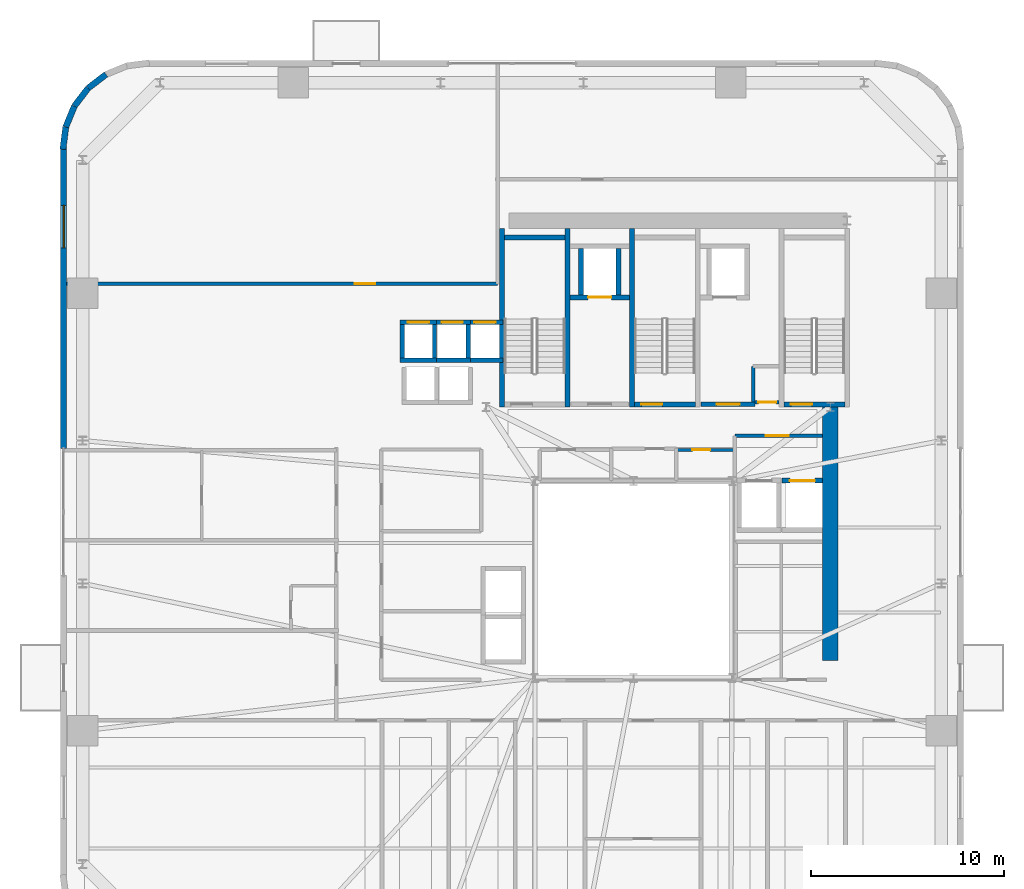
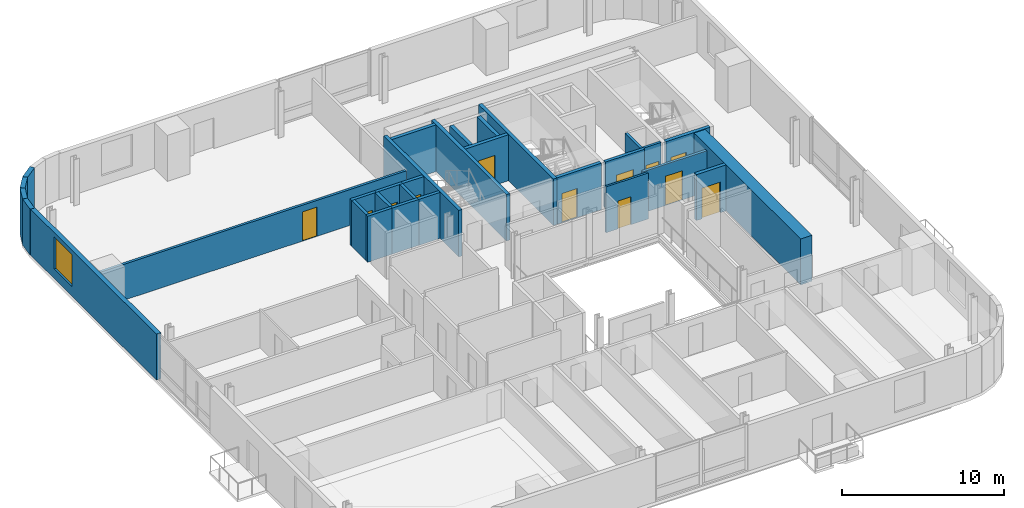
# One storey, part 8 of 11: 31 walls, 12 doors, 1 window, 13 openings.
"""IFC4 building model written with IfcOpenShell, lengths in metres."""

from ifc_helpers import new_model, si_unit, direction, frame, frame_2d, origin, place, context, subcontext, project, spatial, rectangle, extrude, source, transform, mapped, material, layer, layer_set, type_object, element, fill, save


model = new_model("IFC4")

# Units and contexts
model_context = context("Model", 3, precision=1e-05, world=origin(), true_north=direction((0.0, 1.0)))
body_context = subcontext(model_context, "Body", "Model", "MODEL_VIEW")
ifc_project = project(units=[si_unit("LENGTHUNIT", "METRE"), si_unit("AREAUNIT", "SQUARE_METRE"), si_unit("VOLUMEUNIT", "CUBIC_METRE"), si_unit("PLANEANGLEUNIT", "RADIAN"), si_unit("MASSUNIT", "GRAM", prefix="KILO")], contexts=[model_context])

# Site, building, storey
site_placement = place(None, origin())
site = spatial("IfcSite", under=ifc_project, at=site_placement, CompositionType="ELEMENT")
building_placement = place(site_placement, origin())
building = spatial("IfcBuilding", under=site, at=building_placement, Name="Vardaveli Station Tower", CompositionType="ELEMENT")
storey_placement = place(building_placement, frame((0.0, 0.0, 137.199951171875)))
storey = spatial("IfcBuildingStorey", under=building, at=storey_placement, Name="L35", CompositionType="ELEMENT", Elevation=137.199951171875)

# Wall
ifc_material_1 = material(Name="Concrete C50/60", Category="concrete")
ifc_layer_1 = layer(ifc_material_1, 0.800048828125, Name="Concrete C50/60")
ifc_layer_set_1 = layer_set([ifc_layer_1], Name="Concrete C50/60")
wall_type_1 = type_object("IfcWallType", Name="WAL-CORE-800", PredefinedType="SHEAR", material=ifc_layer_set_1)
shared_shape_1 = source(origin(), body_context, "Body", "SweptSolid", [
    extrude(rectangle(XDim=13.14990234375, YDim=0.800048828125, at=frame_2d((6.574951171875, 0.0))), origin(), (0.0, 0.0, 1.0), 3.4599609375),
])
wall_1_placement = place(storey_placement, frame((46.5, 17.5, 0.0), z_axis=(0.0, 0.0, 1.0), x_axis=(0.0, 1.0, 0.0)))
element("IfcWall", 1, at=wall_1_placement, inside=storey, type_object=wall_type_1, Name="SW-L35-EAST2", PredefinedType="SHEAR", context=body_context, shape_type="MappedRepresentation", body=[
    mapped(shared_shape_1, transform((0.0, 0.0, 0.0), scale=1.0)),
])

# Wall, opening, window
ifc_material_2 = material(Name="Precast concrete C45/55", Category="concrete")
ifc_layer_2 = layer(ifc_material_2, 0.320068359375, Name="Precast concrete C45/55")
ifc_layer_set_2 = layer_set([ifc_layer_2], Name="Precast concrete C45/55")
wall_type_2 = type_object("IfcWallType", Name="WAL-EXT-STONE-320", PredefinedType="SOLIDWALL", material=ifc_layer_set_2)
shared_shape_2 = source(origin(), body_context, "Body", "SweptSolid", [
    extrude(rectangle(XDim=15.60009765625, YDim=0.320068359375, at=frame_2d((7.800048828125, 0.0))), origin(), (0.0, 0.0, 1.0), 3.4599609375),
])
wall_2_placement = place(storey_placement, frame((6.760009765625, 44.10009765625, 0.0), z_axis=(0.0, 0.0, 1.0), x_axis=(0.0, -1.0, 0.0)))
wall_2 = element("IfcWall", 2, at=wall_2_placement, inside=storey, type_object=wall_type_2, Name="EW-L35-W1", PredefinedType="SOLIDWALL", context=body_context, shape_type="MappedRepresentation", body=[
    mapped(shared_shape_2, transform((0.0, 0.0, 0.0), scale=1.0)),
])
shared_shape_3 = source(origin(), body_context, "Body", "SweptSolid", [
    extrude(rectangle(XDim=2.199951171875, YDim=2.39990234375, at=frame_2d((1.10009765625, 1.199951171875))), frame((0.0, 0.169921875, 0.0), z_axis=(0.0, -1.0, 0.0), x_axis=(1.0, 0.0, 0.0)), (0.0, 0.0, 1.0), 0.340087890625),
])
opening_1_placement = place(wall_2_placement, frame((3.0048828125, 0.0, 0.719970703125)))
opening_1 = element("IfcOpeningElement", 3, at=opening_1_placement, cuts=wall_2, Name="Opening W-03", PredefinedType="OPENING", context=body_context, shape_type="MappedRepresentation", body=[
    mapped(shared_shape_3, transform((0.0, 0.0, 0.0), scale=1.0)),
])
ifc_material_3 = material(Name="Low-E solar-control glass", Category="glass")
window_type = type_object("IfcWindowType", Name="WIN-LOG-2200x2400", PartitioningType="SINGLE_PANEL", PredefinedType="WINDOW", material=ifc_material_3)
shared_shape_4 = source(origin(), body_context, "Body", "SweptSolid", [
    extrude(rectangle(XDim=2.199951171875, YDim=2.39990234375, at=frame_2d((1.10009765625, 1.199951171875))), frame((0.0, 0.030029296875, 0.0), z_axis=(0.0, -1.0, 0.0), x_axis=(1.0, 0.0, 0.0)), (0.0, 0.0, 1.0), 0.06005859375),
])
window_placement = place(opening_1_placement, origin())
window = element("IfcWindow", 4, at=window_placement, inside=storey, type_object=window_type, Name="WN-L35-W1", OverallHeight=2.39990234375, OverallWidth=2.199951171875, PartitioningType="SINGLE_PANEL", PredefinedType="WINDOW", context=body_context, shape_type="MappedRepresentation", body=[
    mapped(shared_shape_4, transform((0.0, 0.0, 0.0), scale=1.0)),
])
fill(opening_1, window)

# Walls
shared_shape_5 = source(origin(), body_context, "Body", "SweptSolid", [
    extrude(rectangle(XDim=1.1689453125, YDim=0.320068359375, at=frame_2d((0.58447265625, 0.0))), origin(), (0.0, 0.0, 1.0), 3.4599609375),
])
wall_3_placement = place(storey_placement, frame((8.03125, 47.1689453125, 0.0), z_axis=(0.0, 0.0, 1.0), x_axis=(-0.608387696831, -0.793639975269, 0.0)))
element("IfcWall", 5, at=wall_3_placement, inside=storey, type_object=wall_type_2, Name="EW-L35-CR4-4", PredefinedType="SOLIDWALL", context=body_context, shape_type="MappedRepresentation", body=[
    mapped(shared_shape_5, transform((0.0, 0.0, 0.0), scale=1.0)),
])
shared_shape_6 = source(origin(), body_context, "Body", "SweptSolid", [
    extrude(rectangle(XDim=1.168701171875, YDim=0.320068359375, at=frame_2d((0.58447265625, 0.0))), origin(), (0.0, 0.0, 1.0), 3.4599609375),
])
wall_4_placement = place(storey_placement, frame((8.958740234375, 47.8798828125, 0.0), z_axis=(0.0, 0.0, 1.0), x_axis=(-0.793663520347, -0.608356981114, 0.0)))
element("IfcWall", 6, at=wall_4_placement, inside=storey, type_object=wall_type_2, Name="EW-L35-CR4-3", PredefinedType="SOLIDWALL", context=body_context, shape_type="MappedRepresentation", body=[
    mapped(shared_shape_6, transform((0.0, 0.0, 0.0), scale=1.0)),
])
shared_shape_7 = source(origin(), body_context, "Body", "SweptSolid", [
    extrude(rectangle(XDim=1.17041015625, YDim=0.320068359375, at=frame_2d((0.585205078125, 0.0))), origin(), (0.0, 0.0, 1.0), 3.4599609375),
])
wall_5_placement = place(storey_placement, frame((6.87451171875, 45.16015625, 0.0), z_axis=(0.0, 0.0, 1.0), x_axis=(-0.128295670475, -0.991735963317, 0.0)))
element("IfcWall", 7, at=wall_5_placement, inside=storey, type_object=wall_type_2, Name="EW-L35-CR4-6", PredefinedType="SOLIDWALL", context=body_context, shape_type="MappedRepresentation", body=[
    mapped(shared_shape_7, transform((0.0, 0.0, 0.0), scale=1.0)),
])
shared_shape_8 = source(origin(), body_context, "Body", "SweptSolid", [
    extrude(rectangle(XDim=1.169189453125, YDim=0.320068359375, at=frame_2d((0.58447265625, 0.0))), origin(), (0.0, 0.0, 1.0), 3.4599609375),
])
wall_6_placement = place(storey_placement, frame((7.320068359375, 46.2412109375, 0.0), z_axis=(0.0, 0.0, 1.0), x_axis=(-0.381054331552, -0.924552646638, 0.0)))
element("IfcWall", 8, at=wall_6_placement, inside=storey, type_object=wall_type_2, Name="EW-L35-CR4-5", PredefinedType="SOLIDWALL", context=body_context, shape_type="MappedRepresentation", body=[
    mapped(shared_shape_8, transform((0.0, 0.0, 0.0), scale=1.0)),
])
ifc_material_4 = material(Name="Concrete C40/50", Category="concrete")
ifc_layer_3 = layer(ifc_material_4, 0.25, Name="Concrete C40/50")
ifc_layer_set_3 = layer_set([ifc_layer_3], Name="Concrete C40/50")
wall_type_3 = type_object("IfcWallType", Name="WAL-SHAFT-250", PredefinedType="SOLIDWALL", material=ifc_layer_set_3)
shared_shape_9 = source(origin(), body_context, "Body", "SweptSolid", [
    extrude(rectangle(XDim=9.25, YDim=0.25, at=frame_2d((4.625, 0.0))), origin(), (0.0, 0.0, 1.0), 3.5),
])
for number, where, z_axis, x_axis, name in (
    (9, (29.47509765625, 30.64990234375, 0.0), (0.0, 0.0, 1.0), (0.0, 1.0, 0.0), "W-L35-ST-1W"),
    (10, (32.875, 30.64990234375, 0.0), (0.0, 0.0, 1.0), (0.0, 1.0, 0.0), "W-L35-ST-1E"),
    (11, (36.22509765625, 30.64990234375, 0.0), (0.0, 0.0, 1.0), (0.0, 1.0, 0.0), "W-L35-ST-2W"),
):
    element("IfcWall", number, at=place(storey_placement, frame(where, z_axis=z_axis, x_axis=x_axis)), inside=storey, type_object=wall_type_3, Name=name, PredefinedType="SOLIDWALL", context=body_context, shape_type="MappedRepresentation", body=[
        mapped(shared_shape_9, transform((0.0, 0.0, 0.0), scale=1.0)),
    ])
shared_shape_10 = source(origin(), body_context, "Body", "SweptSolid", [
    extrude(rectangle(XDim=3.14990234375, YDim=0.25, at=frame_2d((1.574951171875, 0.0))), origin(), (0.0, 0.0, 1.0), 3.5),
])
wall_7_placement = place(storey_placement, frame((29.60009765625, 39.425048828125, 0.0), z_axis=(0.0, 0.0, 1.0), x_axis=(1.0, 0.0, 0.0)))
element("IfcWall", 12, at=wall_7_placement, inside=storey, type_object=wall_type_3, Name="W-L35-ST-1N", PredefinedType="SOLIDWALL", context=body_context, shape_type="MappedRepresentation", body=[
    mapped(shared_shape_10, transform((0.0, 0.0, 0.0), scale=1.0)),
])

# Wall, opening, door
wall_8_placement = place(storey_placement, frame((36.35009765625, 30.77490234375, 0.0), z_axis=(0.0, 0.0, 1.0), x_axis=(1.0, 0.0, 0.0)))
wall_8 = element("IfcWall", 13, at=wall_8_placement, inside=storey, type_object=wall_type_3, Name="W-L35-ST-2S", PredefinedType="SOLIDWALL", context=body_context, shape_type="MappedRepresentation", body=[
    mapped(shared_shape_10, transform((0.0, 0.0, 0.0), scale=1.0)),
])
shared_shape_11 = source(origin(), body_context, "Body", "SweptSolid", [
    extrude(rectangle(XDim=1.10009765625, YDim=2.199951171875, at=frame_2d((0.550048828125, 1.10009765625))), frame((0.0, 0.135009765625, 0.0), z_axis=(0.0, -1.0, 0.0), x_axis=(1.0, 0.0, 0.0)), (0.0, 0.0, 1.0), 0.27001953125),
])
opening_2_placement = place(wall_8_placement, frame((0.35009765625, 0.0, 0.0)))
opening_2 = element("IfcOpeningElement", 14, at=opening_2_placement, cuts=wall_8, Name="Opening D-04", PredefinedType="OPENING", context=body_context, shape_type="MappedRepresentation", body=[
    mapped(shared_shape_11, transform((0.0, 0.0, 0.0), scale=1.0)),
])
ifc_material_5 = material(Name="Steel smokeproof fire doorset", Category="steel")
door_type_1 = type_object("IfcDoorType", Name="DR-ST-1100x2200", OperationType="NOTDEFINED", PredefinedType="DOOR", material=ifc_material_5)
shared_shape_12 = source(origin(), body_context, "Body", "SweptSolid", [
    extrude(rectangle(XDim=1.10009765625, YDim=2.199951171875, at=frame_2d((0.550048828125, 1.10009765625))), frame((0.0, 0.02490234375, 0.0), z_axis=(0.0, -1.0, 0.0), x_axis=(1.0, 0.0, 0.0)), (0.0, 0.0, 1.0), 0.050048828125),
])
door_1_placement = place(opening_2_placement, origin())
door_1 = element("IfcDoor", 15, at=door_1_placement, inside=storey, type_object=door_type_1, Name="DST-2-L35", OperationType="SINGLE_SWING_LEFT", OverallHeight=2.199951171875, OverallWidth=1.10009765625, PredefinedType="DOOR", context=body_context, shape_type="MappedRepresentation", body=[
    mapped(shared_shape_12, transform((0.0, 0.0, 0.0), scale=1.0)),
])
fill(opening_2, door_1)

wall_9_placement = place(storey_placement, frame((44.10009765625, 30.77490234375, 0.0), z_axis=(0.0, 0.0, 1.0), x_axis=(1.0, 0.0, 0.0)))
wall_9 = element("IfcWall", 16, at=wall_9_placement, inside=storey, type_object=wall_type_3, Name="W-L35-ST-3S", PredefinedType="SOLIDWALL", context=body_context, shape_type="MappedRepresentation", body=[
    mapped(shared_shape_10, transform((0.0, 0.0, 0.0), scale=1.0)),
])
opening_3_placement = place(wall_9_placement, frame((0.35009765625, 0.0, 0.0)))
opening_3 = element("IfcOpeningElement", 17, at=opening_3_placement, cuts=wall_9, Name="Opening D-04", PredefinedType="OPENING", context=body_context, shape_type="MappedRepresentation", body=[
    mapped(shared_shape_11, transform((0.0, 0.0, 0.0), scale=1.0)),
])
door_2_placement = place(opening_3_placement, origin())
door_2 = element("IfcDoor", 18, at=door_2_placement, inside=storey, type_object=door_type_1, Name="DST-3-L35", OperationType="SINGLE_SWING_LEFT", OverallHeight=2.199951171875, OverallWidth=1.10009765625, PredefinedType="DOOR", context=body_context, shape_type="MappedRepresentation", body=[
    mapped(shared_shape_12, transform((0.0, 0.0, 0.0), scale=1.0)),
])
fill(opening_3, door_2)

ifc_layer_4 = layer(ifc_material_4, 0.219970703125, Name="Concrete C40/50")
ifc_layer_set_4 = layer_set([ifc_layer_4], Name="Concrete C40/50")
wall_type_4 = type_object("IfcWallType", Name="WAL-FFLOBBY-220", PredefinedType="SOLIDWALL", material=ifc_layer_set_4)
shared_shape_13 = source(origin(), body_context, "Body", "SweptSolid", [
    extrude(rectangle(XDim=2.800048828125, YDim=0.219970703125, at=frame_2d((1.39990234375, 0.0))), origin(), (0.0, 0.0, 1.0), 3.4599609375),
])
wall_10_placement = place(storey_placement, frame((39.800048828125, 30.780029296875, 0.0), z_axis=(0.0, 0.0, 1.0), x_axis=(1.0, 0.0, 0.0)))
wall_10 = element("IfcWall", 19, at=wall_10_placement, inside=storey, type_object=wall_type_4, Name="W-L35-FFL2S", PredefinedType="SOLIDWALL", context=body_context, shape_type="MappedRepresentation", body=[
    mapped(shared_shape_13, transform((0.0, 0.0, 0.0), scale=1.0)),
])
shared_shape_14 = source(origin(), body_context, "Body", "SweptSolid", [
    extrude(rectangle(XDim=1.199951171875, YDim=2.199951171875, at=frame_2d((0.60009765625, 1.10009765625))), frame((0.0, 0.1201171875, 0.0), z_axis=(0.0, -1.0, 0.0), x_axis=(1.0, 0.0, 0.0)), (0.0, 0.0, 1.0), 0.239990234375),
])
opening_4_placement = place(wall_10_placement, frame((0.800048828125, 0.0, 0.0)))
opening_4 = element("IfcOpeningElement", 20, at=opening_4_placement, cuts=wall_10, Name="Opening D-03", PredefinedType="OPENING", context=body_context, shape_type="MappedRepresentation", body=[
    mapped(shared_shape_14, transform((0.0, 0.0, 0.0), scale=1.0)),
])
door_type_2 = type_object("IfcDoorType", Name="DR-FFL-1200x2200", OperationType="NOTDEFINED", PredefinedType="DOOR", material=ifc_material_5)
shared_shape_15 = source(origin(), body_context, "Body", "SweptSolid", [
    extrude(rectangle(XDim=1.199951171875, YDim=2.199951171875, at=frame_2d((0.60009765625, 1.10009765625))), frame((0.0, 0.02490234375, 0.0), z_axis=(0.0, -1.0, 0.0), x_axis=(1.0, 0.0, 0.0)), (0.0, 0.0, 1.0), 0.050048828125),
])
door_3_placement = place(opening_4_placement, origin())
door_3 = element("IfcDoor", 21, at=door_3_placement, inside=storey, type_object=door_type_2, Name="DFFL2-L35", OperationType="SINGLE_SWING_RIGHT", OverallHeight=2.199951171875, OverallWidth=1.199951171875, PredefinedType="DOOR", context=body_context, shape_type="MappedRepresentation", body=[
    mapped(shared_shape_15, transform((0.0, 0.0, 0.0), scale=1.0)),
])
fill(opening_4, door_3)

# Wall
shared_shape_16 = source(origin(), body_context, "Body", "SweptSolid", [
    extrude(rectangle(XDim=1.889892578125, YDim=0.219970703125, at=frame_2d((0.94482421875, 0.0))), origin(), (0.0, 0.0, 1.0), 3.4599609375),
])
wall_11_placement = place(storey_placement, frame((24.205078125, 33.06494140625, 0.0), z_axis=(0.0, 0.0, 1.0), x_axis=(1.0, 0.0, 0.0)))
element("IfcWall", 22, at=wall_11_placement, inside=storey, type_object=wall_type_4, Name="SHW-HL2-01-L35-S", PredefinedType="SOLIDWALL", context=body_context, shape_type="MappedRepresentation", body=[
    mapped(shared_shape_16, transform((0.0, 0.0, 0.0), scale=1.0)),
])

# Wall, opening, door
wall_12_placement = place(storey_placement, frame((24.205078125, 35.034912109375, 0.0), z_axis=(0.0, 0.0, 1.0), x_axis=(1.0, 0.0, 0.0)))
wall_12 = element("IfcWall", 23, at=wall_12_placement, inside=storey, type_object=wall_type_4, Name="SHW-HL2-01-L35-N", PredefinedType="SOLIDWALL", context=body_context, shape_type="MappedRepresentation", body=[
    mapped(shared_shape_16, transform((0.0, 0.0, 0.0), scale=1.0)),
])
shared_shape_17 = source(origin(), body_context, "Body", "SweptSolid", [
    extrude(rectangle(XDim=1.10009765625, YDim=2.199951171875, at=frame_2d((0.550048828125, 1.10009765625))), frame((0.0, 0.1201171875, 0.0), z_axis=(0.0, -1.0, 0.0), x_axis=(1.0, 0.0, 0.0)), (0.0, 0.0, 1.0), 0.239990234375),
])
opening_5_placement = place(wall_12_placement, frame((0.39501953125, 0.0, 0.0)))
opening_5 = element("IfcOpeningElement", 24, at=opening_5_placement, cuts=wall_12, Name="Opening LD-01", PredefinedType="OPENING", context=body_context, shape_type="MappedRepresentation", body=[
    mapped(shared_shape_17, transform((0.0, 0.0, 0.0), scale=1.0)),
])
ifc_material_6 = material(Name="Brushed stainless steel", Category="steel")
door_type_3 = type_object("IfcDoorType", Name="DR-LD-1100x2200", OperationType="DOUBLE_DOOR_SLIDING", PredefinedType="DOOR", material=ifc_material_6)
door_4_placement = place(opening_5_placement, origin())
door_4 = element("IfcDoor", 25, at=door_4_placement, inside=storey, type_object=door_type_3, Name="LD-HL2-01-L35", OperationType="DOUBLE_DOOR_SLIDING", OverallHeight=2.199951171875, OverallWidth=1.10009765625, PredefinedType="DOOR", context=body_context, shape_type="MappedRepresentation", body=[
    mapped(shared_shape_12, transform((0.0, 0.0, 0.0), scale=1.0)),
])
fill(opening_5, door_4)

# Wall
wall_13_placement = place(storey_placement, frame((25.955078125, 33.06494140625, 0.0), z_axis=(0.0, 0.0, 1.0), x_axis=(1.0, 0.0, 0.0)))
element("IfcWall", 26, at=wall_13_placement, inside=storey, type_object=wall_type_4, Name="SHW-HL2-02-L35-S", PredefinedType="SOLIDWALL", context=body_context, shape_type="MappedRepresentation", body=[
    mapped(shared_shape_16, transform((0.0, 0.0, 0.0), scale=1.0)),
])

# Wall, opening, door
wall_14_placement = place(storey_placement, frame((25.955078125, 35.034912109375, 0.0), z_axis=(0.0, 0.0, 1.0), x_axis=(1.0, 0.0, 0.0)))
wall_14 = element("IfcWall", 27, at=wall_14_placement, inside=storey, type_object=wall_type_4, Name="SHW-HL2-02-L35-N", PredefinedType="SOLIDWALL", context=body_context, shape_type="MappedRepresentation", body=[
    mapped(shared_shape_16, transform((0.0, 0.0, 0.0), scale=1.0)),
])
opening_6_placement = place(wall_14_placement, frame((0.39501953125, 0.0, 0.0)))
opening_6 = element("IfcOpeningElement", 28, at=opening_6_placement, cuts=wall_14, Name="Opening LD-01", PredefinedType="OPENING", context=body_context, shape_type="MappedRepresentation", body=[
    mapped(shared_shape_17, transform((0.0, 0.0, 0.0), scale=1.0)),
])
door_5_placement = place(opening_6_placement, origin())
door_5 = element("IfcDoor", 29, at=door_5_placement, inside=storey, type_object=door_type_3, Name="LD-HL2-02-L35", OperationType="DOUBLE_DOOR_SLIDING", OverallHeight=2.199951171875, OverallWidth=1.10009765625, PredefinedType="DOOR", context=body_context, shape_type="MappedRepresentation", body=[
    mapped(shared_shape_12, transform((0.0, 0.0, 0.0), scale=1.0)),
])
fill(opening_6, door_5)

# Wall
wall_15_placement = place(storey_placement, frame((27.655029296875, 33.06494140625, 0.0), z_axis=(0.0, 0.0, 1.0), x_axis=(1.0, 0.0, 0.0)))
element("IfcWall", 30, at=wall_15_placement, inside=storey, type_object=wall_type_4, Name="SHW-HL2-03-L35-S", PredefinedType="SOLIDWALL", context=body_context, shape_type="MappedRepresentation", body=[
    mapped(shared_shape_16, transform((0.0, 0.0, 0.0), scale=1.0)),
])

# Wall, opening, door
wall_16_placement = place(storey_placement, frame((27.655029296875, 35.034912109375, 0.0), z_axis=(0.0, 0.0, 1.0), x_axis=(1.0, 0.0, 0.0)))
wall_16 = element("IfcWall", 31, at=wall_16_placement, inside=storey, type_object=wall_type_4, Name="SHW-HL2-03-L35-N", PredefinedType="SOLIDWALL", context=body_context, shape_type="MappedRepresentation", body=[
    mapped(shared_shape_16, transform((0.0, 0.0, 0.0), scale=1.0)),
])
opening_7_placement = place(wall_16_placement, frame((0.39501953125, 0.0, 0.0)))
opening_7 = element("IfcOpeningElement", 32, at=opening_7_placement, cuts=wall_16, Name="Opening LD-01", PredefinedType="OPENING", context=body_context, shape_type="MappedRepresentation", body=[
    mapped(shared_shape_17, transform((0.0, 0.0, 0.0), scale=1.0)),
])
door_6_placement = place(opening_7_placement, origin())
door_6 = element("IfcDoor", 33, at=door_6_placement, inside=storey, type_object=door_type_3, Name="LD-HL2-03-L35", OperationType="DOUBLE_DOOR_SLIDING", OverallHeight=2.199951171875, OverallWidth=1.10009765625, PredefinedType="DOOR", context=body_context, shape_type="MappedRepresentation", body=[
    mapped(shared_shape_12, transform((0.0, 0.0, 0.0), scale=1.0)),
])
fill(opening_7, door_6)

# Walls
shared_shape_18 = source(origin(), body_context, "Body", "SweptSolid", [
    extrude(rectangle(XDim=1.75, YDim=0.219970703125, at=frame_2d((0.875, 0.0))), origin(), (0.0, 0.0, 1.0), 3.4599609375),
])
for number, where, z_axis, x_axis, name in (
    (34, (24.31494140625, 33.175048828125, 0.0), (0.0, 0.0, 1.0), (0.0, 1.0, 0.0), "SHW-HL2-01-L35-W"),
    (35, (25.985107421875, 33.175048828125, 0.0), (0.0, 0.0, 1.0), (0.0, 1.0, 0.0), "SHW-HL2-01-L35-E"),
    (36, (27.735107421875, 33.175048828125, 0.0), (0.0, 0.0, 1.0), (0.0, 1.0, 0.0), "SHW-HL2-02-L35-E"),
):
    element("IfcWall", number, at=place(storey_placement, frame(where, z_axis=z_axis, x_axis=x_axis)), inside=storey, type_object=wall_type_4, Name=name, PredefinedType="SOLIDWALL", context=body_context, shape_type="MappedRepresentation", body=[
        mapped(shared_shape_18, transform((0.0, 0.0, 0.0), scale=1.0)),
    ])

# Wall, opening, door
shared_shape_19 = source(origin(), body_context, "Body", "SweptSolid", [
    extrude(rectangle(XDim=3.10009765625, YDim=0.25, at=frame_2d((1.550048828125, 0.0))), origin(), (0.0, 0.0, 1.0), 3.4599609375),
])
wall_17_placement = place(storey_placement, frame((33.0, 36.324951171875, 0.0), z_axis=(0.0, 0.0, 1.0), x_axis=(1.0, 0.0, 0.0)))
wall_17 = element("IfcWall", 37, at=wall_17_placement, inside=storey, type_object=wall_type_3, Name="SHW-FFL-01-L35-S", PredefinedType="SOLIDWALL", context=body_context, shape_type="MappedRepresentation", body=[
    mapped(shared_shape_19, transform((0.0, 0.0, 0.0), scale=1.0)),
])
shared_shape_20 = source(origin(), body_context, "Body", "SweptSolid", [
    extrude(rectangle(XDim=1.199951171875, YDim=2.25, at=frame_2d((0.60009765625, 1.125))), frame((0.0, 0.135009765625, 0.0), z_axis=(0.0, -1.0, 0.0), x_axis=(1.0, 0.0, 0.0)), (0.0, 0.0, 1.0), 0.27001953125),
])
opening_8_placement = place(wall_17_placement, frame((0.949951171875, 0.0, 0.0)))
opening_8 = element("IfcOpeningElement", 38, at=opening_8_placement, cuts=wall_17, Name="Opening LD-02", PredefinedType="OPENING", context=body_context, shape_type="MappedRepresentation", body=[
    mapped(shared_shape_20, transform((0.0, 0.0, 0.0), scale=1.0)),
])
door_type_4 = type_object("IfcDoorType", Name="DR-LD-1200x2250", OperationType="DOUBLE_DOOR_SLIDING", PredefinedType="DOOR", material=ifc_material_6)
shared_shape_21 = source(origin(), body_context, "Body", "SweptSolid", [
    extrude(rectangle(XDim=1.199951171875, YDim=2.25, at=frame_2d((0.60009765625, 1.125))), frame((0.0, 0.02490234375, 0.0), z_axis=(0.0, -1.0, 0.0), x_axis=(1.0, 0.0, 0.0)), (0.0, 0.0, 1.0), 0.050048828125),
])
door_7_placement = place(opening_8_placement, origin())
door_7 = element("IfcDoor", 39, at=door_7_placement, inside=storey, type_object=door_type_4, Name="LD-FFL-01-L35", OperationType="DOUBLE_DOOR_SLIDING", OverallHeight=2.25, OverallWidth=1.199951171875, PredefinedType="DOOR", context=body_context, shape_type="MappedRepresentation", body=[
    mapped(shared_shape_21, transform((0.0, 0.0, 0.0), scale=1.0)),
])
fill(opening_8, door_7)

# Walls
shared_shape_22 = source(origin(), body_context, "Body", "SweptSolid", [
    extrude(rectangle(XDim=2.400146484375, YDim=0.25, at=frame_2d((1.2001953125, 0.0))), origin(), (0.0, 0.0, 1.0), 3.4599609375),
])
for number, where, z_axis, x_axis, name in (
    (40, (33.574951171875, 36.449951171875, 0.0), (0.0, 0.0, 1.0), (0.0, 1.0, 0.0), "SHW-FFL-01-L35-W"),
    (41, (35.52490234375, 36.449951171875, 0.0), (0.0, 0.0, 1.0), (0.0, 1.0, 0.0), "SHW-FFL-01-L35-E"),
):
    element("IfcWall", number, at=place(storey_placement, frame(where, z_axis=z_axis, x_axis=x_axis)), inside=storey, type_object=wall_type_3, Name=name, PredefinedType="SOLIDWALL", context=body_context, shape_type="MappedRepresentation", body=[
        mapped(shared_shape_22, transform((0.0, 0.0, 0.0), scale=1.0)),
    ])

# Wall, opening, door
shared_shape_23 = source(origin(), body_context, "Body", "SweptSolid", [
    extrude(rectangle(XDim=2.10009765625, YDim=0.25, at=frame_2d((1.050048828125, 0.0))), origin(), (0.0, 0.0, 1.0), 3.4599609375),
])
wall_18_placement = place(storey_placement, frame((44.0, 26.824951171875, 0.0), z_axis=(0.0, 0.0, 1.0), x_axis=(1.0, 0.0, 0.0)))
wall_18 = element("IfcWall", 42, at=wall_18_placement, inside=storey, type_object=wall_type_3, Name="SHW-SRV-02-L35-N", PredefinedType="SOLIDWALL", context=body_context, shape_type="MappedRepresentation", body=[
    mapped(shared_shape_23, transform((0.0, 0.0, 0.0), scale=1.0)),
])
shared_shape_24 = source(origin(), body_context, "Body", "SweptSolid", [
    extrude(rectangle(XDim=1.300048828125, YDim=2.300048828125, at=frame_2d((0.64990234375, 1.14990234375))), frame((0.0, 0.135009765625, 0.0), z_axis=(0.0, -1.0, 0.0), x_axis=(1.0, 0.0, 0.0)), (0.0, 0.0, 1.0), 0.27001953125),
])
opening_9_placement = place(wall_18_placement, frame((0.39990234375, 0.0, 0.0)))
opening_9 = element("IfcOpeningElement", 43, at=opening_9_placement, cuts=wall_18, Name="Opening LD-03", PredefinedType="OPENING", context=body_context, shape_type="MappedRepresentation", body=[
    mapped(shared_shape_24, transform((0.0, 0.0, 0.0), scale=1.0)),
])
door_type_5 = type_object("IfcDoorType", Name="DR-LD-1300x2300", OperationType="DOUBLE_DOOR_SLIDING", PredefinedType="DOOR", material=ifc_material_6)
shared_shape_25 = source(origin(), body_context, "Body", "SweptSolid", [
    extrude(rectangle(XDim=1.300048828125, YDim=2.300048828125, at=frame_2d((0.64990234375, 1.14990234375))), frame((0.0, 0.02490234375, 0.0), z_axis=(0.0, -1.0, 0.0), x_axis=(1.0, 0.0, 0.0)), (0.0, 0.0, 1.0), 0.050048828125),
])
door_8_placement = place(opening_9_placement, origin())
door_8 = element("IfcDoor", 44, at=door_8_placement, inside=storey, type_object=door_type_5, Name="LD-SRV-02-L35", OperationType="DOUBLE_DOOR_SLIDING", OverallHeight=2.300048828125, OverallWidth=1.300048828125, PredefinedType="DOOR", context=body_context, shape_type="MappedRepresentation", body=[
    mapped(shared_shape_25, transform((0.0, 0.0, 0.0), scale=1.0)),
])
fill(opening_9, door_8)

ifc_material_7 = material(Name="Fire-rated gypsum stud partition")
ifc_layer_5 = layer(ifc_material_7, 0.179931640625, Name="Fire-rated gypsum stud partition")
ifc_layer_set_5 = layer_set([ifc_layer_5], Name="Fire-rated gypsum stud partition")
wall_type_5 = type_object("IfcWallType", Name="WAL-CORR-180", PredefinedType="PARTITIONING", material=ifc_layer_set_5)
shared_shape_26 = source(origin(), body_context, "Body", "SweptSolid", [
    extrude(rectangle(XDim=4.5478515625, YDim=0.179931640625, at=frame_2d((2.27392578125, 0.0))), origin(), (0.0, 0.0, 1.0), 3.092041015625),
])
wall_19_placement = place(storey_placement, frame((41.550048828125, 29.14990234375, 0.0), z_axis=(0.0, 0.0, 1.0), x_axis=(1.0, 0.0, 0.0)))
wall_19 = element("IfcWall", 45, at=wall_19_placement, inside=storey, type_object=wall_type_5, Name="W-L35-SVFN", PredefinedType="PARTITIONING", context=body_context, shape_type="MappedRepresentation", body=[
    mapped(shared_shape_26, transform((0.0, 0.0, 0.0), scale=1.0)),
])
shared_shape_27 = source(origin(), body_context, "Body", "SweptSolid", [
    extrude(rectangle(XDim=1.199951171875, YDim=2.199951171875, at=frame_2d((0.60009765625, 1.10009765625))), frame((0.0, 0.10009765625, 0.0), z_axis=(0.0, -1.0, 0.0), x_axis=(1.0, 0.0, 0.0)), (0.0, 0.0, 1.0), 0.199951171875),
])
opening_10_placement = place(wall_19_placement, frame((1.60009765625, 0.0, 0.0)))
opening_10 = element("IfcOpeningElement", 46, at=opening_10_placement, cuts=wall_19, Name="Opening D-03", PredefinedType="OPENING", context=body_context, shape_type="MappedRepresentation", body=[
    mapped(shared_shape_27, transform((0.0, 0.0, 0.0), scale=1.0)),
])
door_9_placement = place(opening_10_placement, origin())
door_9 = element("IfcDoor", 47, at=door_9_placement, inside=storey, type_object=door_type_2, Name="D-L35-SVF", OperationType="SINGLE_SWING_RIGHT", OverallHeight=2.199951171875, OverallWidth=1.199951171875, PredefinedType="DOOR", context=body_context, shape_type="MappedRepresentation", body=[
    mapped(shared_shape_15, transform((0.0, 0.0, 0.0), scale=1.0)),
])
fill(opening_10, door_9)

ifc_material_8 = material(Name="Moisture-resistant stud partition")
ifc_layer_6 = layer(ifc_material_8, 0.14990234375, Name="Moisture-resistant stud partition")
ifc_layer_set_6 = layer_set([ifc_layer_6], Name="Moisture-resistant stud partition")
wall_type_6 = type_object("IfcWallType", Name="WAL-WET-150", PredefinedType="PARTITIONING", material=ifc_layer_set_6)
shared_shape_28 = source(origin(), body_context, "Body", "SweptSolid", [
    extrude(rectangle(XDim=3.0, YDim=0.14990234375, at=frame_2d((1.5, 0.0))), origin(), (0.0, 0.0, 1.0), 3.4599609375),
])
wall_20_placement = place(storey_placement, frame((38.52001953125, 28.419921875, 0.0), z_axis=(0.0, 0.0, 1.0), x_axis=(1.0, 0.0, 0.0)))
wall_20 = element("IfcWall", 48, at=wall_20_placement, inside=storey, type_object=wall_type_6, Name="W-L35-WCA2-N", PredefinedType="PARTITIONING", context=body_context, shape_type="MappedRepresentation", body=[
    mapped(shared_shape_28, transform((0.0, 0.0, 0.0), scale=1.0)),
])
shared_shape_29 = source(origin(), body_context, "Body", "SweptSolid", [
    extrude(rectangle(XDim=0.919921875, YDim=2.10009765625, at=frame_2d((0.4599609375, 1.050048828125))), frame((0.0, 0.0849609375, 0.0), z_axis=(0.0, -1.0, 0.0), x_axis=(1.0, 0.0, 0.0)), (0.0, 0.0, 1.0), 0.169921875),
])
opening_11_placement = place(wall_20_placement, frame((0.830078125, 0.0, 0.0)))
opening_11 = element("IfcOpeningElement", 49, at=opening_11_placement, cuts=wall_20, Name="Opening D-07", PredefinedType="OPENING", context=body_context, shape_type="MappedRepresentation", body=[
    mapped(shared_shape_29, transform((0.0, 0.0, 0.0), scale=1.0)),
])
ifc_material_9 = material(Name="Moisture-resistant hardwood door", Category="wood")
door_type_6 = type_object("IfcDoorType", Name="DR-WC-920x2100", OperationType="NOTDEFINED", PredefinedType="DOOR", material=ifc_material_9)
shared_shape_30 = source(origin(), body_context, "Body", "SweptSolid", [
    extrude(rectangle(XDim=0.919921875, YDim=2.10009765625, at=frame_2d((0.4599609375, 1.050048828125))), frame((0.0, 0.02490234375, 0.0), z_axis=(0.0, -1.0, 0.0), x_axis=(1.0, 0.0, 0.0)), (0.0, 0.0, 1.0), 0.050048828125),
])
door_10_placement = place(opening_11_placement, origin())
door_10 = element("IfcDoor", 50, at=door_10_placement, inside=storey, type_object=door_type_6, Name="D-L35-WCA", OperationType="SINGLE_SWING_RIGHT", OverallHeight=2.10009765625, OverallWidth=0.919921875, PredefinedType="DOOR", context=body_context, shape_type="MappedRepresentation", body=[
    mapped(shared_shape_30, transform((0.0, 0.0, 0.0), scale=1.0)),
])
fill(opening_11, door_10)

shared_shape_31 = source(origin(), body_context, "Body", "SweptSolid", [
    extrude(rectangle(XDim=1.247802734375, YDim=0.179931640625, at=frame_2d((0.6240234375, 0.0))), origin(), (0.0, 0.0, 1.0), 3.4599609375),
])
wall_21_placement = place(storey_placement, frame((42.60009765625, 30.8798828125, 0.0), z_axis=(0.0, 0.0, 1.0), x_axis=(1.0, 0.0, 0.0)))
wall_21 = element("IfcWall", 51, at=wall_21_placement, inside=storey, type_object=wall_type_5, Name="W-L35-CBS2A-S", PredefinedType="PARTITIONING", context=body_context, shape_type="MappedRepresentation", body=[
    mapped(shared_shape_31, transform((0.0, 0.0, 0.0), scale=1.0)),
])
shared_shape_32 = source(origin(), body_context, "Body", "SweptSolid", [
    extrude(rectangle(XDim=0.919921875, YDim=2.10009765625, at=frame_2d((0.4599609375, 1.050048828125))), frame((0.0, 0.10009765625, 0.0), z_axis=(0.0, -1.0, 0.0), x_axis=(1.0, 0.0, 0.0)), (0.0, 0.0, 1.0), 0.199951171875),
])
opening_12_placement = place(wall_21_placement, frame((0.1640625, 0.0, 0.0)))
opening_12 = element("IfcOpeningElement", 52, at=opening_12_placement, cuts=wall_21, Name="Opening D-07", PredefinedType="OPENING", context=body_context, shape_type="MappedRepresentation", body=[
    mapped(shared_shape_32, transform((0.0, 0.0, 0.0), scale=1.0)),
])
door_11_placement = place(opening_12_placement, origin())
door_11 = element("IfcDoor", 53, at=door_11_placement, inside=storey, type_object=door_type_6, Name="D-L35-CBS1", OperationType="SINGLE_SWING_LEFT", OverallHeight=2.10009765625, OverallWidth=0.919921875, PredefinedType="DOOR", context=body_context, shape_type="MappedRepresentation", body=[
    mapped(shared_shape_30, transform((0.0, 0.0, 0.0), scale=1.0)),
])
fill(opening_12, door_11)

# Wall
shared_shape_33 = source(origin(), body_context, "Body", "SweptSolid", [
    extrude(rectangle(XDim=1.85791015625, YDim=0.179931640625, at=frame_2d((0.928955078125, 0.0))), origin(), (0.0, 0.0, 1.0), 3.4599609375),
])
wall_22_placement = place(storey_placement, frame((42.5, 30.89208984375, 0.0), z_axis=(0.0, 0.0, 1.0), x_axis=(0.0, 1.0, 0.0)))
element("IfcWall", 54, at=wall_22_placement, inside=storey, type_object=wall_type_5, Name="W-L35-CBS2A-W", PredefinedType="PARTITIONING", context=body_context, shape_type="MappedRepresentation", body=[
    mapped(shared_shape_33, transform((0.0, 0.0, 0.0), scale=1.0)),
])

# Wall, opening, door
shared_shape_34 = source(origin(), body_context, "Body", "SweptSolid", [
    extrude(rectangle(XDim=22.327880859375, YDim=0.179931640625, at=frame_2d((11.1640625, 0.0))), origin(), (0.0, 0.0, 1.0), 2.7021484375),
])
wall_23_placement = place(storey_placement, frame((6.922119140625, 37.02001953125, 0.0), z_axis=(0.0, 0.0, 1.0), x_axis=(1.0, 0.0, 0.0)))
wall_23 = element("IfcWall", 55, at=wall_23_placement, inside=storey, type_object=wall_type_5, Name="W-L35-CNWS", PredefinedType="PARTITIONING", context=body_context, shape_type="MappedRepresentation", body=[
    mapped(shared_shape_34, transform((0.0, 0.0, 0.0), scale=1.0)),
])
shared_shape_35 = source(origin(), body_context, "Body", "SweptSolid", [
    extrude(rectangle(XDim=1.050048828125, YDim=2.199951171875, at=frame_2d((0.52490234375, 1.10009765625))), frame((0.0, 0.10009765625, 0.0), z_axis=(0.0, -1.0, 0.0), x_axis=(1.0, 0.0, 0.0)), (0.0, 0.0, 1.0), 0.199951171875),
])
opening_13_placement = place(wall_23_placement, frame((14.927978515625, 0.0, 0.0)))
opening_13 = element("IfcOpeningElement", 56, at=opening_13_placement, cuts=wall_23, Name="Opening D-05", PredefinedType="OPENING", context=body_context, shape_type="MappedRepresentation", body=[
    mapped(shared_shape_35, transform((0.0, 0.0, 0.0), scale=1.0)),
])
ifc_material_10 = material(Name="Walnut veneer acoustic fire door")
door_type_7 = type_object("IfcDoorType", Name="DR-SUITE-1050x2200", OperationType="NOTDEFINED", PredefinedType="DOOR", material=ifc_material_10)
shared_shape_36 = source(origin(), body_context, "Body", "SweptSolid", [
    extrude(rectangle(XDim=1.050048828125, YDim=2.199951171875, at=frame_2d((0.52490234375, 1.10009765625))), frame((0.0, 0.02490234375, 0.0), z_axis=(0.0, -1.0, 0.0), x_axis=(1.0, 0.0, 0.0)), (0.0, 0.0, 1.0), 0.050048828125),
])
door_12_placement = place(opening_13_placement, origin())
door_12 = element("IfcDoor", 57, at=door_12_placement, inside=storey, type_object=door_type_7, Name="D-L35-GNW1", OperationType="SINGLE_SWING_LEFT", OverallHeight=2.199951171875, OverallWidth=1.050048828125, PredefinedType="DOOR", context=body_context, shape_type="MappedRepresentation", body=[
    mapped(shared_shape_36, transform((0.0, 0.0, 0.0), scale=1.0)),
])
fill(opening_13, door_12)

save(model, "model.ifc")
